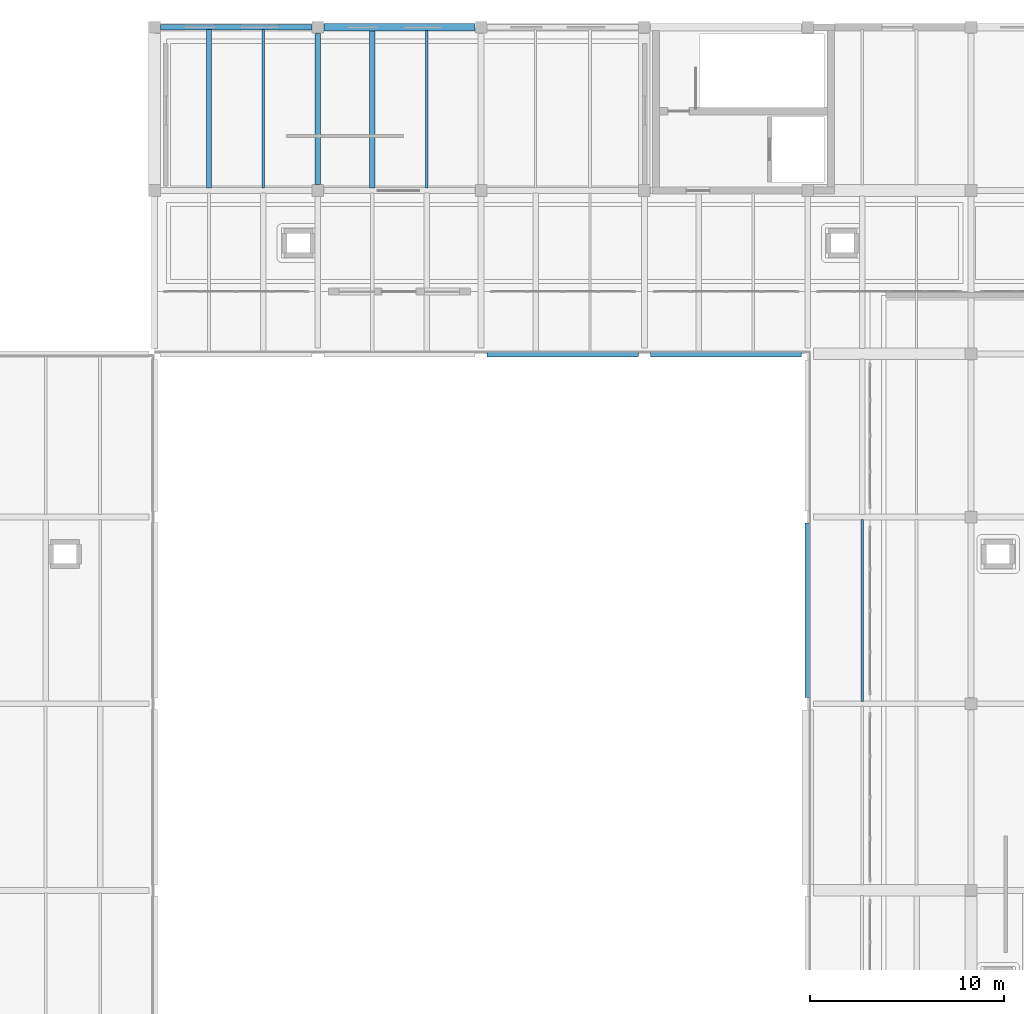
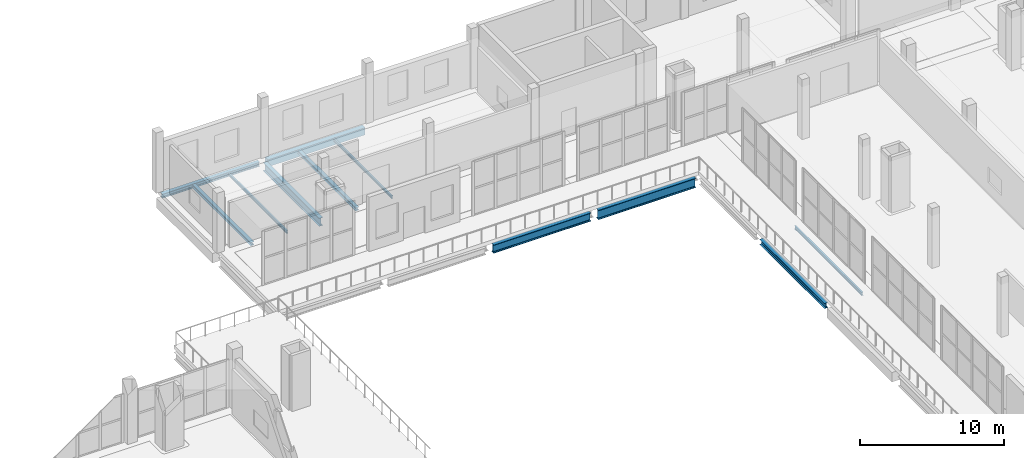
# One storey, part 29 of 77: 11 beams.
"""IFC4 building model written with IfcOpenShell, lengths in metres."""

import ifcopenshell
import ifcopenshell.guid

model = None  # the IFC model being written
_history = None  # IfcOwnerHistory: only IFC2X3 demands one
_inside = {}  # id of a spatial element -> (the spatial element, [elements in it])
_under = {}  # id of a project, library or spatial element -> (it, [spatial elements below it])
_declared = {}  # id of a project -> (the project, [libraries it declares])
_typed = {}  # id of a type object -> (the type object, [elements of that type])
_made_of = {}  # id of a material, layer set ... -> (it, [elements and type objects made of it])


def new_model(schema):
    """Start an empty IFC model of exactly this schema.

    Asked for "IFC4X3", IfcOpenShell would pick the latest addendum, in which some entities
    have other attributes; the version numbers below select the first issue.
    IFC2X3 requires an IfcOwnerHistory on every rooted entity: one is made here for all.
    """
    global model, _history
    if schema == "IFC4X3":
        model = ifcopenshell.file(schema_version=(4, 3, 0, 0))
    else:
        model = ifcopenshell.file(schema=schema)
    _inside.clear()
    _under.clear()
    _declared.clear()
    _typed.clear()
    _made_of.clear()
    _history = None
    if model.schema == "IFC2X3":
        org = make("IfcOrganization", Name="unknown")
        user = make(
            "IfcPersonAndOrganization",
            ThePerson=make("IfcPerson", FamilyName="unknown"),
            TheOrganization=org,
        )
        app = make(
            "IfcApplication",
            ApplicationDeveloper=org,
            Version="unknown",
            ApplicationFullName="unknown",
            ApplicationIdentifier="unknown",
        )
        _history = make(
            "IfcOwnerHistory",
            OwningUser=user,
            OwningApplication=app,
            ChangeAction="ADDED",
            CreationDate=0,
        )
    return model


def make(cls, **values):
    """One entity of the class cls with the attributes given. An attribute that is None is left unset."""
    return model.create_entity(
        cls, **{name: value for name, value in values.items() if value is not None}
    )


def rooted(cls, **values):
    """An entity with a GlobalId (a new one), such as an element, a storey or a relation."""
    return make(cls, GlobalId=ifcopenshell.guid.new(), OwnerHistory=_history, **values)


def si_unit(unit_type, name, prefix=None):
    """IfcSIUnit, for example si_unit("LENGTHUNIT", "METRE", prefix="MILLI")."""
    return make("IfcSIUnit", UnitType=unit_type, Prefix=prefix, Name=name)


def assignment(units):
    """IfcUnitAssignment: the units of a project."""
    return None if units is None else make("IfcUnitAssignment", Units=units)


def point(xyz):
    """IfcCartesianPoint."""
    return None if xyz is None else make("IfcCartesianPoint", Coordinates=xyz)


def direction(xyz):
    """IfcDirection."""
    return None if xyz is None else make("IfcDirection", DirectionRatios=xyz)


def frame(location, z_axis=None, x_axis=None):
    """IfcAxis2Placement3D, a coordinate frame: its origin and axes. An axis left out is left unset."""
    return make(
        "IfcAxis2Placement3D",
        Location=point(location),
        Axis=direction(z_axis),
        RefDirection=direction(x_axis),
    )


def frame_2d(location, x_axis=None):
    """IfcAxis2Placement2D, a coordinate frame in the plane: its origin and x axis."""
    return make(
        "IfcAxis2Placement2D", Location=point(location), RefDirection=direction(x_axis)
    )


def origin():
    """The frame at (0, 0, 0) with its axes left unset."""
    return frame((0.0, 0.0, 0.0))


def origin_2d():
    """The frame at (0, 0) in the plane with its x axis left unset."""
    return frame_2d((0.0, 0.0))


def place(relative_to, where):
    """IfcLocalPlacement: puts the frame where relative to a parent placement (None: the world)."""
    return make(
        "IfcLocalPlacement", PlacementRelTo=relative_to, RelativePlacement=where
    )


def context(
    kind, dimensions, precision=None, world=None, true_north=None, identifier=None
):
    """IfcGeometricRepresentationContext, for example the 3D "Model" context."""
    return make(
        "IfcGeometricRepresentationContext",
        ContextIdentifier=identifier,
        ContextType=kind,
        CoordinateSpaceDimension=dimensions,
        Precision=precision,
        WorldCoordinateSystem=world,
        TrueNorth=true_north,
    )


def subcontext(parent, identifier, kind, view, scale=None):
    """IfcGeometricRepresentationSubContext, for example "Body" below "Model"."""
    return make(
        "IfcGeometricRepresentationSubContext",
        ContextIdentifier=identifier,
        ContextType=kind,
        ParentContext=parent,
        TargetScale=scale,
        TargetView=view,
    )


def project(units=None, contexts=None):
    """IfcProject with its units and contexts."""
    return rooted(
        "IfcProject",
        Name="project",
        RepresentationContexts=contexts,
        UnitsInContext=assignment(units),
    )


def spatial(cls, under=None, at=None, **own):
    """A site, building, storey or space (cls), placed at a placement, below another one or the project."""
    s = rooted(cls, ObjectPlacement=at, **own)
    if under is not None:
        _under.setdefault(under.id(), (under, []))[1].append(s)
    return s


def profile(cls, at=None, kind="AREA", **sizes):
    """A parametric profile (cls). Its sizes go by their IFC names, for example OverallWidth=200.0."""
    return make(cls, ProfileType=kind, Position=at, **sizes)


def rectangle(**sizes):
    """IfcRectangleProfileDef."""
    return profile("IfcRectangleProfileDef", **sizes)


def i_section(**sizes):
    """IfcIShapeProfileDef."""
    return profile("IfcIShapeProfileDef", **sizes)


def extrude(swept, where, along, depth):
    """IfcExtrudedAreaSolid: the profile swept, set in the frame where, extruded along a direction by depth."""
    return make(
        "IfcExtrudedAreaSolid",
        SweptArea=swept,
        Position=where,
        ExtrudedDirection=direction(along),
        Depth=depth,
    )


def shape(context_of_items, identifier, shape_type, items):
    """IfcShapeRepresentation: the items that make up one representation, for example the "Body"."""
    return make(
        "IfcShapeRepresentation",
        ContextOfItems=context_of_items,
        RepresentationIdentifier=identifier,
        RepresentationType=shape_type,
        Items=items,
    )


def material(Name=None, Category=None):
    """IfcMaterial."""
    return make("IfcMaterial", Name=Name, Category=Category)


def material_profile(
    of_material, cross_section, Name=None, Category=None, Priority=None
):
    """IfcMaterialProfile: a cross section and its material."""
    return make(
        "IfcMaterialProfile",
        Name=Name,
        Material=of_material,
        Profile=cross_section,
        Priority=Priority,
        Category=Category,
    )


def profile_set(profiles, Name=None, composite=None):
    """IfcMaterialProfileSet."""
    return make(
        "IfcMaterialProfileSet",
        Name=Name,
        MaterialProfiles=profiles,
        CompositeProfile=composite,
    )


def made_of(thing, what):
    """Note that an element or type object is made of a material, layer set ...; save() writes the relation."""
    if what is not None:
        _made_of.setdefault(what.id(), (what, []))[1].append(thing)
    return thing


def type_object(cls, material=None, **own):
    """A type object (cls), such as IfcWallType, which elements share."""
    return made_of(rooted(cls, **own), material)


def element(
    cls,
    number,
    at=None,
    inside=None,
    cuts=None,
    type_object=None,
    material=None,
    context=None,
    identifier="Body",
    shape_type=None,
    held_by="IfcProductDefinitionShape",
    body=None,
    shapes=None,
    **own,
):
    """One element of the class cls, such as IfcWall. Its Tag is "e" and its number.

    at: its placement. inside: the storey or other place that contains it. cuts: it is an
    opening in that element (IfcRelVoidsElement). A single representation is given by context,
    identifier, shape_type and body (its items); several are given by shapes. held_by: the class
    of the entity that holds the representations. save() writes the other relations.
    """
    e = rooted(cls, Tag="e%d" % number, ObjectPlacement=at, **own)
    if body is not None:
        shapes = [shape(context, identifier, shape_type, body)]
    if shapes is not None:
        e.Representation = make(held_by, Representations=shapes)
    if inside is not None:
        _inside.setdefault(inside.id(), (inside, []))[1].append(e)
    if cuts is not None:
        rooted(
            "IfcRelVoidsElement", RelatingBuildingElement=cuts, RelatedOpeningElement=e
        )
    if type_object is not None:
        _typed.setdefault(type_object.id(), (type_object, []))[1].append(e)
    return made_of(e, material)


def aggregate(whole, parts):
    """IfcRelAggregates: a whole, such as a stair, and the parts it consists of."""
    return rooted("IfcRelAggregates", RelatingObject=whole, RelatedObjects=parts)


def save(model, path):
    """Write the relations noted so far, then the file.

    IfcRelAggregates (storeys below a building ...), IfcRelContainedInSpatialStructure (elements
    in a storey), IfcRelDefinesByType, IfcRelAssociatesMaterial and IfcRelDeclares: one each for
    every whole, place, type object, material and project.
    """
    for whole, parts in _under.values():
        aggregate(whole, parts)
    for where, things in _inside.values():
        rooted(
            "IfcRelContainedInSpatialStructure",
            RelatedElements=things,
            RelatingStructure=where,
        )
    for kind, things in _typed.values():
        rooted("IfcRelDefinesByType", RelatedObjects=things, RelatingType=kind)
    for what, things in _made_of.values():
        rooted("IfcRelAssociatesMaterial", RelatedObjects=things, RelatingMaterial=what)
    for by, libraries in _declared.values():
        rooted("IfcRelDeclares", RelatingContext=by, RelatedDefinitions=libraries)
    model.write(path)


model = new_model("IFC4")

# Units and contexts
model_context = context("Model", 3, precision=1e-05, world=origin(), true_north=direction((0.0, 1.0)))
body_context = subcontext(model_context, "Body", "Model", "MODEL_VIEW")
ifc_project = project(units=[si_unit("LENGTHUNIT", "METRE"), si_unit("AREAUNIT", "SQUARE_METRE"), si_unit("VOLUMEUNIT", "CUBIC_METRE"), si_unit("PLANEANGLEUNIT", "RADIAN"), si_unit("MASSUNIT", "GRAM", prefix="KILO")], contexts=[model_context])

# Site, building, storey
site_placement = place(None, origin())
site = spatial("IfcSite", under=ifc_project, at=site_placement, CompositionType="ELEMENT")
building_placement = place(site_placement, origin())
building = spatial("IfcBuilding", under=site, at=building_placement, Name="Zulmaris Art Gallery", CompositionType="ELEMENT")
storey_placement = place(building_placement, frame((0.0, 0.0, 15.60009765625)))
storey = spatial("IfcBuildingStorey", under=building, at=storey_placement, Name="L03", CompositionType="ELEMENT", Elevation=15.60009765625)

# Beams
ifc_material_1 = material(Name="Steel S355J2", Category="steel")
ifc_material_profile_1 = material_profile(ifc_material_1, i_section(OverallWidth=0.300048828125, OverallDepth=0.43994140625, WebThickness=0.011474609375, FlangeThickness=0.02099609375, FilletRadius=0.027099609375, at=origin_2d()), Name="HEA 450")
ifc_profile_set_1 = profile_set([ifc_material_profile_1], Name="Steel S355J2")
beam_type_1 = type_object("IfcBeamType", Name="BEAM-BM10", PredefinedType="BEAM", material=ifc_profile_set_1)
beam_1_placement = place(storey_placement, frame((124.800048828125, 41.110107421875, -0.6201171875), z_axis=(0.0, 1.0, 0.0), x_axis=(-1.0, 0.0, 0.0)))
element("IfcBeam", 1, at=beam_1_placement, inside=storey, type_object=beam_type_1, Name="L03 Y-girder (x=124.8, 40.8..50.4)", PredefinedType="BEAM", context=body_context, shape_type="SweptSolid", body=[
    extrude(i_section(OverallWidth=0.300048828125, OverallDepth=0.43994140625, WebThickness=0.011474609375, FlangeThickness=0.02099609375, FilletRadius=0.027099609375, at=origin_2d()), origin(), (0.0, 0.0, 1.0), 8.97998046875),
])
ifc_material_profile_2 = material_profile(ifc_material_1, i_section(OverallWidth=0.300048828125, OverallDepth=0.699951171875, WebThickness=0.01708984375, FlangeThickness=0.031982421875, FilletRadius=0.027099609375, at=origin_2d()), Name="HEB 700")
ifc_profile_set_2 = profile_set([ifc_material_profile_2], Name="Steel S355J2")
beam_type_2 = type_object("IfcBeamType", Name="BEAM-BM16", PredefinedType="BEAM", material=ifc_profile_set_2)
for number, where, z_axis, x_axis, name in (
    (2, (108.31005859375, 58.800048828125, -0.72021484375), (1.0, 0.0, 0.0), (0.0, 1.0, 0.0), "L03 X-girder (108.0..116.4, y=58.8)"),
    (3, (99.60009765625, 67.510009765625, -0.72021484375), (0.0, 1.0, 0.0), (-1.0, 0.0, 0.0), "L03 Y-girder (x=99.6, 67.2..75.6)"),
):
    element("IfcBeam", number, at=place(storey_placement, frame(where, z_axis=z_axis, x_axis=x_axis)), inside=storey, type_object=beam_type_2, Name=name, PredefinedType="BEAM", context=body_context, shape_type="SweptSolid", body=[
        extrude(i_section(OverallWidth=0.300048828125, OverallDepth=0.699951171875, WebThickness=0.01708984375, FlangeThickness=0.031982421875, FilletRadius=0.027099609375, at=origin_2d()), origin(), (0.0, 0.0, 1.0), 7.780029296875),
    ])
ifc_material_profile_3 = material_profile(ifc_material_1, i_section(OverallWidth=0.300048828125, OverallDepth=0.800048828125, WebThickness=0.017578125, FlangeThickness=0.032958984375, FilletRadius=0.030029296875, at=origin_2d()), Name="HEB 800")
ifc_profile_set_3 = profile_set([ifc_material_profile_3], Name="Steel S355J2")
beam_type_3 = type_object("IfcBeamType", Name="BEAM-BM17", PredefinedType="BEAM", material=ifc_profile_set_3)
beam_2_placement = place(storey_placement, frame((116.7099609375, 58.800048828125, -0.77001953125), z_axis=(1.0, 0.0, 0.0), x_axis=(0.0, 1.0, 0.0)))
element("IfcBeam", 4, at=beam_2_placement, inside=storey, type_object=beam_type_3, Name="L03 X-girder (116.4..124.8, y=58.8)", PredefinedType="BEAM", context=body_context, shape_type="SweptSolid", body=[
    extrude(i_section(OverallWidth=0.300048828125, OverallDepth=0.800048828125, WebThickness=0.017578125, FlangeThickness=0.032958984375, FilletRadius=0.030029296875, at=origin_2d()), origin(), (0.0, 0.0, 1.0), 7.780029296875),
])
ifc_material_profile_4 = material_profile(ifc_material_1, i_section(OverallWidth=0.1201171875, OverallDepth=0.239990234375, WebThickness=0.006103515625, FlangeThickness=0.009765625, FilletRadius=0.014892578125, at=origin_2d()), Name="IPE 240")
ifc_profile_set_4 = profile_set([ifc_material_profile_4], Name="Steel S355J2")
beam_type_4 = type_object("IfcBeamType", Name="BEAM-JS01", PredefinedType="JOIST", material=ifc_profile_set_4)
beam_3_placement = place(storey_placement, frame((96.800048828125, 67.324951171875, -0.489990234375), z_axis=(0.0, 1.0, 0.0), x_axis=(-1.0, 0.0, 0.0)))
element("IfcBeam", 5, at=beam_3_placement, inside=storey, type_object=beam_type_4, Name="L03 secondary joist at x=96.8", PredefinedType="JOIST", context=body_context, shape_type="SweptSolid", body=[
    extrude(i_section(OverallWidth=0.1201171875, OverallDepth=0.239990234375, WebThickness=0.006103515625, FlangeThickness=0.009765625, FilletRadius=0.014892578125, at=origin_2d()), origin(), (0.0, 0.0, 1.0), 8.150146484375),
])
beam_4_placement = place(storey_placement, frame((105.199951171875, 67.324951171875, -0.489990234375), z_axis=(0.0, 1.0, 0.0), x_axis=(-1.0, 0.0, 0.0)))
element("IfcBeam", 6, at=beam_4_placement, inside=storey, type_object=beam_type_4, Name="L03 secondary joist at x=105.2", PredefinedType="JOIST", context=body_context, shape_type="SweptSolid", body=[
    extrude(i_section(OverallWidth=0.1201171875, OverallDepth=0.239990234375, WebThickness=0.006103515625, FlangeThickness=0.009765625, FilletRadius=0.014892578125, at=origin_2d()), origin(), (0.0, 0.0, 1.0), 8.10009765625),
])
ifc_material_profile_5 = material_profile(ifc_material_1, i_section(OverallWidth=0.135009765625, OverallDepth=0.27001953125, WebThickness=0.006591796875, FlangeThickness=0.01025390625, FilletRadius=0.014892578125, at=origin_2d()), Name="IPE 270")
ifc_profile_set_5 = profile_set([ifc_material_profile_5], Name="Steel S355J2")
beam_type_5 = type_object("IfcBeamType", Name="BEAM-JS02", PredefinedType="JOIST", material=ifc_profile_set_5)
beam_5_placement = place(storey_placement, frame((127.60009765625, 40.925048828125, -0.505126953125), z_axis=(0.0, 1.0, 0.0), x_axis=(-1.0, 0.0, 0.0)))
element("IfcBeam", 7, at=beam_5_placement, inside=storey, type_object=beam_type_5, Name="L03 secondary joist at x=127.6", PredefinedType="JOIST", context=body_context, shape_type="SweptSolid", body=[
    extrude(i_section(OverallWidth=0.135009765625, OverallDepth=0.27001953125, WebThickness=0.006591796875, FlangeThickness=0.01025390625, FilletRadius=0.014892578125, at=origin_2d()), origin(), (0.0, 0.0, 1.0), 9.349853515625),
])
ifc_material_profile_6 = material_profile(ifc_material_1, i_section(OverallWidth=0.280029296875, OverallDepth=0.27001953125, WebThickness=0.008056640625, FlangeThickness=0.012939453125, FilletRadius=0.02392578125, at=origin_2d()), Name="HEA 280")
ifc_profile_set_6 = profile_set([ifc_material_profile_6], Name="Steel S355J2")
beam_type_6 = type_object("IfcBeamType", Name="BEAM-JS04", PredefinedType="JOIST", material=ifc_profile_set_6)
beam_6_placement = place(storey_placement, frame((94.0, 67.324951171875, -0.505126953125), z_axis=(0.0, 1.0, 0.0), x_axis=(-1.0, 0.0, 0.0)))
element("IfcBeam", 8, at=beam_6_placement, inside=storey, type_object=beam_type_6, Name="L03 secondary joist at x=94.0", PredefinedType="JOIST", context=body_context, shape_type="SweptSolid", body=[
    extrude(i_section(OverallWidth=0.280029296875, OverallDepth=0.27001953125, WebThickness=0.008056640625, FlangeThickness=0.012939453125, FilletRadius=0.02392578125, at=origin_2d()), origin(), (0.0, 0.0, 1.0), 8.150146484375),
])
beam_7_placement = place(storey_placement, frame((102.39990234375, 67.324951171875, -0.505126953125), z_axis=(0.0, 1.0, 0.0), x_axis=(-1.0, 0.0, 0.0)))
element("IfcBeam", 9, at=beam_7_placement, inside=storey, type_object=beam_type_6, Name="L03 secondary joist at x=102.4", PredefinedType="JOIST", context=body_context, shape_type="SweptSolid", body=[
    extrude(i_section(OverallWidth=0.280029296875, OverallDepth=0.27001953125, WebThickness=0.008056640625, FlangeThickness=0.012939453125, FilletRadius=0.02392578125, at=origin_2d()), origin(), (0.0, 0.0, 1.0), 8.10009765625),
])
ifc_material_profile_7 = material_profile(ifc_material_1, i_section(OverallWidth=0.300048828125, OverallDepth=0.35009765625, WebThickness=0.010009765625, FlangeThickness=0.017578125, FilletRadius=0.027099609375, at=origin_2d()), Name="HEA 360")
ifc_profile_set_7 = profile_set([ifc_material_profile_7], Name="Steel S355J2")
beam_type_7 = type_object("IfcBeamType", Name="BEAM-SP01", PredefinedType="SPANDREL", material=ifc_profile_set_7)
beam_8_placement = place(storey_placement, frame((91.510009765625, 75.60009765625, -0.545166015625), z_axis=(1.0, 0.0, 0.0), x_axis=(0.0, 1.0, 0.0)))
element("IfcBeam", 10, at=beam_8_placement, inside=storey, type_object=beam_type_7, Name="L03 X-girder (91.2..99.6, y=75.6)", PredefinedType="SPANDREL", context=body_context, shape_type="SweptSolid", body=[
    extrude(i_section(OverallWidth=0.300048828125, OverallDepth=0.35009765625, WebThickness=0.010009765625, FlangeThickness=0.017578125, FilletRadius=0.027099609375, at=origin_2d()), origin(), (0.0, 0.0, 1.0), 7.780029296875),
])
ifc_material_2 = material(Name="Concrete C40/50", Category="concrete")
ifc_material_profile_8 = material_profile(ifc_material_2, rectangle(XDim=0.39990234375, YDim=0.60009765625, at=origin_2d()), Name="RC 400x600")
ifc_profile_set_8 = profile_set([ifc_material_profile_8], Name="Concrete C40/50")
beam_type_8 = type_object("IfcBeamType", Name="BEAM-SP03", PredefinedType="SPANDREL", material=ifc_profile_set_8)
beam_9_placement = place(storey_placement, frame((99.909912109375, 75.60009765625, -0.670166015625), z_axis=(1.0, 0.0, 0.0), x_axis=(0.0, 1.0, 0.0)))
element("IfcBeam", 11, at=beam_9_placement, inside=storey, type_object=beam_type_8, Name="L03 X-girder (99.6..108.0, y=75.6)", PredefinedType="SPANDREL", context=body_context, shape_type="SweptSolid", body=[
    extrude(rectangle(XDim=0.39990234375, YDim=0.60009765625, at=origin_2d()), origin(), (0.0, 0.0, 1.0), 7.780029296875),
])

save(model, "model.ifc")
